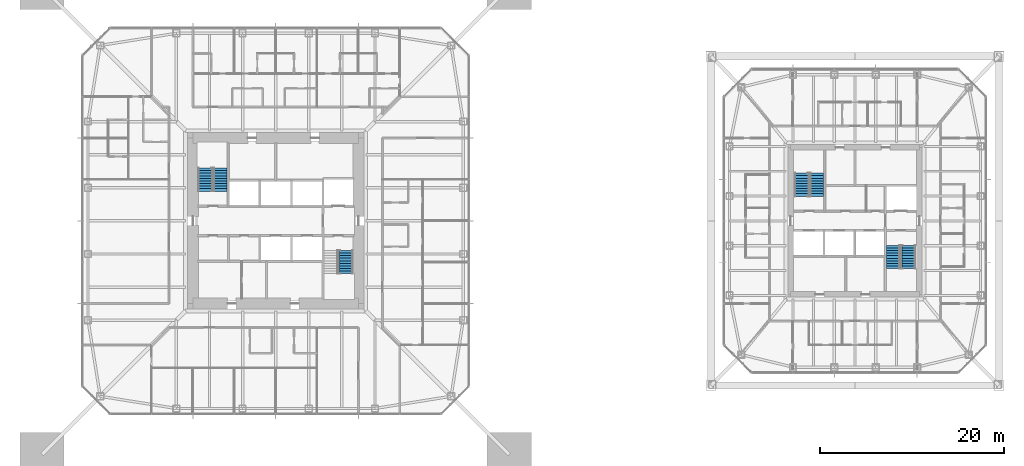
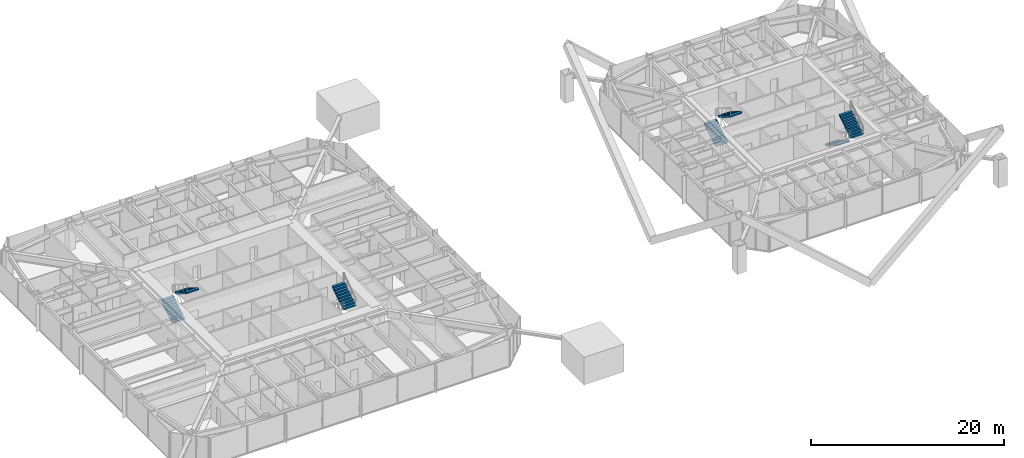
# One storey, part 18 of 23: 7 stair flights, 4 elements without a shape of their own.
"""IFC4 building model written with IfcOpenShell, lengths in metres."""

from ifc_helpers import new_model, si_unit, direction, frame, origin, place, context, subcontext, project, spatial, polyline, outline, extrude, material, constituent, constituent_set, type_object, element, aggregate, save


model = new_model("IFC4")

# Units and contexts
model_context = context("Model", 3, precision=1e-05, world=origin(), true_north=direction((0.0, 1.0)))
body_context = subcontext(model_context, "Body", "Model", "MODEL_VIEW")
ifc_project = project(units=[si_unit("LENGTHUNIT", "METRE"), si_unit("AREAUNIT", "SQUARE_METRE"), si_unit("VOLUMEUNIT", "CUBIC_METRE"), si_unit("PLANEANGLEUNIT", "RADIAN"), si_unit("MASSUNIT", "GRAM", prefix="KILO")], contexts=[model_context])

# Site, building, storey
site_placement = place(None, origin())
site = spatial("IfcSite", under=ifc_project, at=site_placement, CompositionType="ELEMENT")
building_placement = place(site_placement, origin())
building = spatial("IfcBuilding", under=site, at=building_placement, Name="Iwan Alto Co-Living Towers", CompositionType="ELEMENT")
storey_placement = place(building_placement, frame((0.0, 0.0, 122.5)))
storey = spatial("IfcBuildingStorey", under=building, at=storey_placement, Name="L33", CompositionType="ELEMENT", Elevation=122.5)

# Stair, stair flights
ifc_material_1 = material(Name="Steel ASTM A36", Category="steel")
ifc_constituent_1 = constituent(ifc_material_1, Name="Stringers", Category="LoadBearing")
ifc_material_2 = material(Name="Concrete f'c 30 MPa", Category="concrete")
ifc_constituent_2 = constituent(ifc_material_2, Name="Tread fill", Category="Finish")
ifc_constituent_set_1 = constituent_set(constituents=[ifc_constituent_1, ifc_constituent_2], Name="STAIR 3500 TWO-FLIGHT T1 CORE")
stair_type_1 = type_object("IfcStairType", Name="STAIR 3500 TWO-FLIGHT T1 CORE", PredefinedType="HALF_TURN_STAIR", material=ifc_constituent_set_1)
stair_1_placement = place(storey_placement, origin())
stair_1 = element("IfcStair", 1, at=stair_1_placement, inside=storey, type_object=stair_type_1, Name="Stair T1-S1 L33 to L34", PredefinedType="HALF_TURN_STAIR")
ifc_constituent_3 = constituent(ifc_material_1, Name="Stringers", Category="LoadBearing")
ifc_constituent_4 = constituent(ifc_material_2, Name="Tread fill", Category="Finish")
ifc_constituent_set_2 = constituent_set(constituents=[ifc_constituent_3, ifc_constituent_4], Name="STAIR FLIGHT 10 RISERS 280 GOING")
stair_flight_type = type_object("IfcStairFlightType", Name="STAIR FLIGHT 10 RISERS 280 GOING", PredefinedType="STRAIGHT", material=ifc_constituent_set_2)
stair_flight_1_placement = place(storey_placement, frame((-7.68994140625, 3.219970703125, 0.0), z_axis=(0.0, 0.0, 1.0), x_axis=(0.0, 1.0, 0.0)))
stair_flight_1 = element("IfcStairFlight", 2, at=stair_flight_1_placement, type_object=stair_flight_type, Name="T1-S1 flight 1", NumberOfRisers=10, NumberOfTreads=9, PredefinedType="STRAIGHT", RiserHeight=0.175, TreadLength=0.28, context=body_context, shape_type="SweptSolid", body=[
    extrude(outline(polyline([(0.0, 0.0), (0.0, 0.175048828125), (0.280029296875, 0.175048828125), (0.280029296875, 0.35009765625), (0.56005859375, 0.35009765625), (0.56005859375, 0.52490234375), (0.840087890625, 0.52490234375), (0.840087890625, 0.699951171875), (1.1201171875, 0.699951171875), (1.1201171875, 0.875), (1.39990234375, 0.875), (1.39990234375, 1.050048828125), (1.679931640625, 1.050048828125), (1.679931640625, 1.22509765625), (1.9599609375, 1.22509765625), (1.9599609375, 1.39990234375), (2.239990234375, 1.39990234375), (2.239990234375, 1.574951171875), (2.52001953125, 1.574951171875), (2.52001953125, 1.75), (2.52001953125, 1.398193359375), (0.28271484375, 0.0), (0.0, 0.0)])), frame((0.0, 0.739990234375, 0.0), z_axis=(0.0, -1.0, 0.0), x_axis=(1.0, 0.0, 0.0)), (0.0, 0.0, 1.0), 1.47998046875),
])
stair_flight_2_placement = place(storey_placement, frame((-6.010009765625, 5.739990234375, 1.75), z_axis=(0.0, 0.0, 1.0), x_axis=(0.0, -1.0, 0.0)))
stair_flight_2 = element("IfcStairFlight", 3, at=stair_flight_2_placement, type_object=stair_flight_type, Name="T1-S1 flight 2", NumberOfRisers=10, NumberOfTreads=9, PredefinedType="STRAIGHT", RiserHeight=0.175, TreadLength=0.28, context=body_context, shape_type="SweptSolid", body=[
    extrude(outline(polyline([(0.0, 0.0), (0.0, 0.175048828125), (0.280029296875, 0.175048828125), (0.280029296875, 0.35009765625), (0.56005859375, 0.35009765625), (0.56005859375, 0.52490234375), (0.840087890625, 0.52490234375), (0.840087890625, 0.699951171875), (1.1201171875, 0.699951171875), (1.1201171875, 0.875), (1.39990234375, 0.875), (1.39990234375, 1.050048828125), (1.679931640625, 1.050048828125), (1.679931640625, 1.22509765625), (1.9599609375, 1.22509765625), (1.9599609375, 1.39990234375), (2.239990234375, 1.39990234375), (2.239990234375, 1.574951171875), (2.52001953125, 1.574951171875), (2.52001953125, 1.75), (2.52001953125, 1.398193359375), (0.28271484375, 0.0), (0.0, 0.0)])), frame((0.0, 0.739990234375, 0.0), z_axis=(0.0, -1.0, 0.0), x_axis=(1.0, 0.0, 0.0)), (0.0, 0.0, 1.0), 1.47998046875),
])
aggregate(stair_1, [stair_flight_1, stair_flight_2])

# Stair, stair flight
stair_2_placement = place(storey_placement, origin())
stair_2 = element("IfcStair", 4, at=stair_2_placement, inside=storey, type_object=stair_type_1, Name="Stair T1-S2 L33 to L34", PredefinedType="HALF_TURN_STAIR")
stair_flight_3_placement = place(storey_placement, frame((7.68994140625, -5.739990234375, 1.75), z_axis=(0.0, 0.0, 1.0), x_axis=(0.0, 1.0, 0.0)))
stair_flight_3 = element("IfcStairFlight", 5, at=stair_flight_3_placement, type_object=stair_flight_type, Name="T1-S2 flight 2", NumberOfRisers=10, NumberOfTreads=9, PredefinedType="STRAIGHT", RiserHeight=0.175, TreadLength=0.28, context=body_context, shape_type="SweptSolid", body=[
    extrude(outline(polyline([(0.0, 0.0), (0.0, 0.175048828125), (0.280029296875, 0.175048828125), (0.280029296875, 0.35009765625), (0.56005859375, 0.35009765625), (0.56005859375, 0.52490234375), (0.840087890625, 0.52490234375), (0.840087890625, 0.699951171875), (1.1201171875, 0.699951171875), (1.1201171875, 0.875), (1.39990234375, 0.875), (1.39990234375, 1.050048828125), (1.679931640625, 1.050048828125), (1.679931640625, 1.22509765625), (1.9599609375, 1.22509765625), (1.9599609375, 1.39990234375), (2.239990234375, 1.39990234375), (2.239990234375, 1.574951171875), (2.52001953125, 1.574951171875), (2.52001953125, 1.75), (2.52001953125, 1.398193359375), (0.28271484375, 0.0), (0.0, 0.0)])), frame((0.0, 0.739990234375, 0.0), z_axis=(0.0, -1.0, 0.0), x_axis=(1.0, 0.0, 0.0)), (0.0, 0.0, 1.0), 1.47998046875),
])
aggregate(stair_2, [stair_flight_3])

# Stair, stair flights
ifc_constituent_5 = constituent(ifc_material_1, Name="Stringers", Category="LoadBearing")
ifc_constituent_6 = constituent(ifc_material_2, Name="Tread fill", Category="Finish")
ifc_constituent_set_3 = constituent_set(constituents=[ifc_constituent_5, ifc_constituent_6], Name="STAIR 3500 TWO-FLIGHT T2 CORE")
stair_type_2 = type_object("IfcStairType", Name="STAIR 3500 TWO-FLIGHT T2 CORE", PredefinedType="HALF_TURN_STAIR", material=ifc_constituent_set_3)
stair_3_placement = place(storey_placement, origin())
stair_3 = element("IfcStair", 6, at=stair_3_placement, inside=storey, type_object=stair_type_2, Name="Stair T2-S1 L33 to L34", PredefinedType="HALF_TURN_STAIR")
stair_flight_4_placement = place(storey_placement, frame((57.159912109375, 2.669921875, 0.0), z_axis=(0.0, 0.0, 1.0), x_axis=(0.0, 1.0, 0.0)))
stair_flight_4 = element("IfcStairFlight", 7, at=stair_flight_4_placement, type_object=stair_flight_type, Name="T2-S1 flight 1", NumberOfRisers=10, NumberOfTreads=9, PredefinedType="STRAIGHT", RiserHeight=0.175, TreadLength=0.28, context=body_context, shape_type="SweptSolid", body=[
    extrude(outline(polyline([(0.0, 0.0), (0.0, 0.175048828125), (0.280029296875, 0.175048828125), (0.280029296875, 0.35009765625), (0.56005859375, 0.35009765625), (0.56005859375, 0.52490234375), (0.840087890625, 0.52490234375), (0.840087890625, 0.699951171875), (1.1201171875, 0.699951171875), (1.1201171875, 0.875), (1.39990234375, 0.875), (1.39990234375, 1.050048828125), (1.679931640625, 1.050048828125), (1.679931640625, 1.22509765625), (1.9599609375, 1.22509765625), (1.9599609375, 1.39990234375), (2.239990234375, 1.39990234375), (2.239990234375, 1.574951171875), (2.52001953125, 1.574951171875), (2.52001953125, 1.75), (2.52001953125, 1.398193359375), (0.28271484375, 0.0), (0.0, 0.0)])), frame((0.0, 0.739990234375, 0.0), z_axis=(0.0, -1.0, 0.0), x_axis=(1.0, 0.0, 0.0)), (0.0, 0.0, 1.0), 1.47998046875),
])
stair_flight_5_placement = place(storey_placement, frame((58.840087890625, 5.18994140625, 1.75), z_axis=(0.0, 0.0, 1.0), x_axis=(0.0, -1.0, 0.0)))
stair_flight_5 = element("IfcStairFlight", 8, at=stair_flight_5_placement, type_object=stair_flight_type, Name="T2-S1 flight 2", NumberOfRisers=10, NumberOfTreads=9, PredefinedType="STRAIGHT", RiserHeight=0.175, TreadLength=0.28, context=body_context, shape_type="SweptSolid", body=[
    extrude(outline(polyline([(0.0, 0.0), (0.0, 0.175048828125), (0.280029296875, 0.175048828125), (0.280029296875, 0.35009765625), (0.56005859375, 0.35009765625), (0.56005859375, 0.52490234375), (0.840087890625, 0.52490234375), (0.840087890625, 0.699951171875), (1.1201171875, 0.699951171875), (1.1201171875, 0.875), (1.39990234375, 0.875), (1.39990234375, 1.050048828125), (1.679931640625, 1.050048828125), (1.679931640625, 1.22509765625), (1.9599609375, 1.22509765625), (1.9599609375, 1.39990234375), (2.239990234375, 1.39990234375), (2.239990234375, 1.574951171875), (2.52001953125, 1.574951171875), (2.52001953125, 1.75), (2.52001953125, 1.398193359375), (0.28271484375, 0.0), (0.0, 0.0)])), frame((0.0, 0.739990234375, 0.0), z_axis=(0.0, -1.0, 0.0), x_axis=(1.0, 0.0, 0.0)), (0.0, 0.0, 1.0), 1.47998046875),
])
aggregate(stair_3, [stair_flight_4, stair_flight_5])

stair_4_placement = place(storey_placement, origin())
stair_4 = element("IfcStair", 9, at=stair_4_placement, inside=storey, type_object=stair_type_2, Name="Stair T2-S2 L33 to L34", PredefinedType="HALF_TURN_STAIR")
stair_flight_6_placement = place(storey_placement, frame((67.159912109375, -2.669921875, 0.0), z_axis=(0.0, 0.0, 1.0), x_axis=(0.0, -1.0, 0.0)))
stair_flight_6 = element("IfcStairFlight", 10, at=stair_flight_6_placement, type_object=stair_flight_type, Name="T2-S2 flight 1", NumberOfRisers=10, NumberOfTreads=9, PredefinedType="STRAIGHT", RiserHeight=0.175, TreadLength=0.28, context=body_context, shape_type="SweptSolid", body=[
    extrude(outline(polyline([(0.0, 0.0), (0.0, 0.175048828125), (0.280029296875, 0.175048828125), (0.280029296875, 0.35009765625), (0.56005859375, 0.35009765625), (0.56005859375, 0.52490234375), (0.840087890625, 0.52490234375), (0.840087890625, 0.699951171875), (1.1201171875, 0.699951171875), (1.1201171875, 0.875), (1.39990234375, 0.875), (1.39990234375, 1.050048828125), (1.679931640625, 1.050048828125), (1.679931640625, 1.22509765625), (1.9599609375, 1.22509765625), (1.9599609375, 1.39990234375), (2.239990234375, 1.39990234375), (2.239990234375, 1.574951171875), (2.52001953125, 1.574951171875), (2.52001953125, 1.75), (2.52001953125, 1.398193359375), (0.28271484375, 0.0), (0.0, 0.0)])), frame((0.0, 0.739990234375, 0.0), z_axis=(0.0, -1.0, 0.0), x_axis=(1.0, 0.0, 0.0)), (0.0, 0.0, 1.0), 1.47998046875),
])
stair_flight_7_placement = place(storey_placement, frame((68.840087890625, -5.18994140625, 1.75), z_axis=(0.0, 0.0, 1.0), x_axis=(0.0, 1.0, 0.0)))
stair_flight_7 = element("IfcStairFlight", 11, at=stair_flight_7_placement, type_object=stair_flight_type, Name="T2-S2 flight 2", NumberOfRisers=10, NumberOfTreads=9, PredefinedType="STRAIGHT", RiserHeight=0.175, TreadLength=0.28, context=body_context, shape_type="SweptSolid", body=[
    extrude(outline(polyline([(0.0, 0.0), (0.0, 0.175048828125), (0.280029296875, 0.175048828125), (0.280029296875, 0.35009765625), (0.56005859375, 0.35009765625), (0.56005859375, 0.52490234375), (0.840087890625, 0.52490234375), (0.840087890625, 0.699951171875), (1.1201171875, 0.699951171875), (1.1201171875, 0.875), (1.39990234375, 0.875), (1.39990234375, 1.050048828125), (1.679931640625, 1.050048828125), (1.679931640625, 1.22509765625), (1.9599609375, 1.22509765625), (1.9599609375, 1.39990234375), (2.239990234375, 1.39990234375), (2.239990234375, 1.574951171875), (2.52001953125, 1.574951171875), (2.52001953125, 1.75), (2.52001953125, 1.398193359375), (0.28271484375, 0.0), (0.0, 0.0)])), frame((0.0, 0.739990234375, 0.0), z_axis=(0.0, -1.0, 0.0), x_axis=(1.0, 0.0, 0.0)), (0.0, 0.0, 1.0), 1.47998046875),
])
aggregate(stair_4, [stair_flight_6, stair_flight_7])

save(model, "model.ifc")
